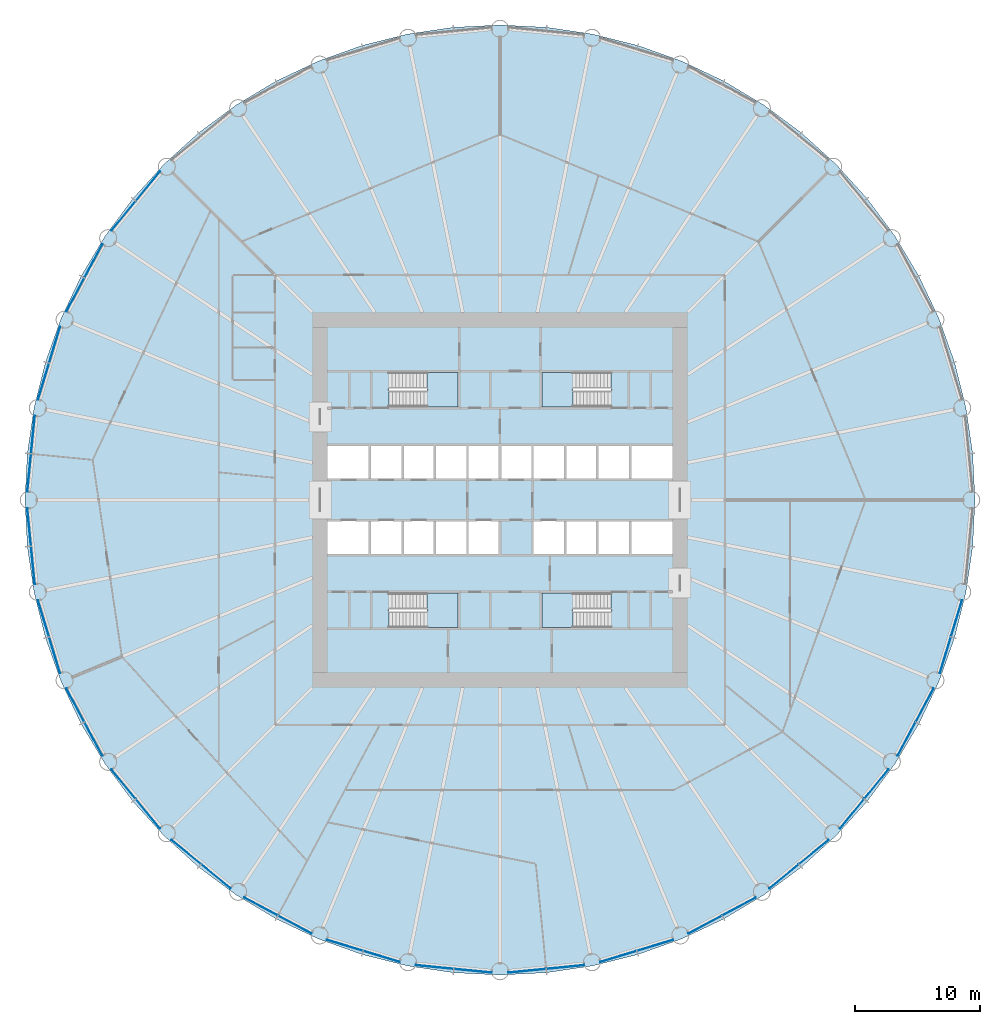
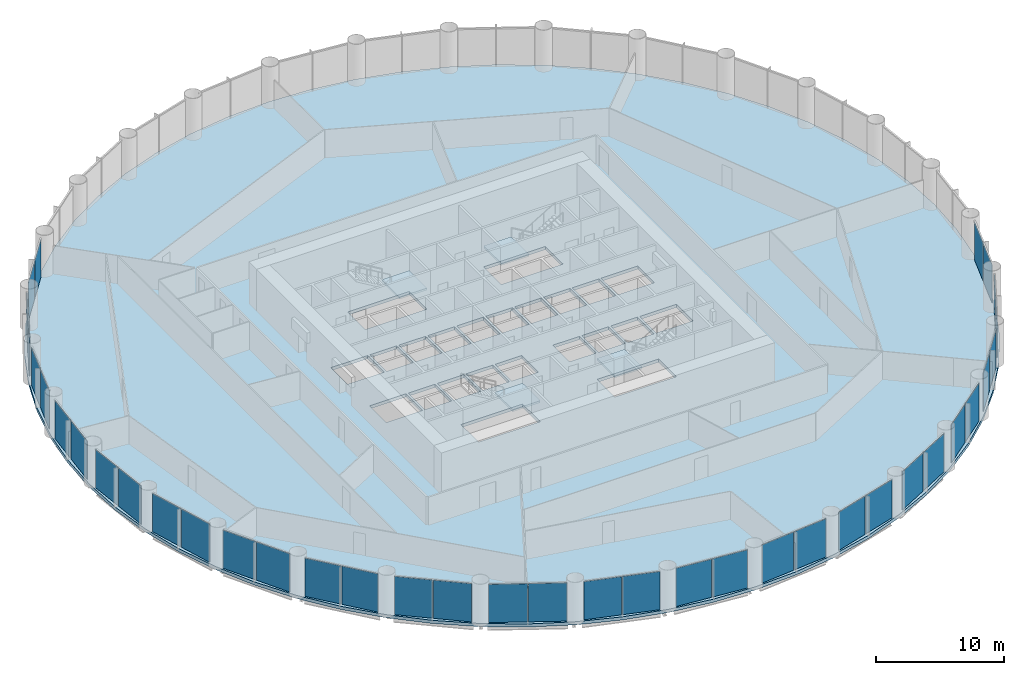
# One storey, part 8 of 15: 38 plates, 5 slabs, 23 elements without a shape of their own.
"""IFC4 building model written with IfcOpenShell, lengths in metres."""

import ifcopenshell
import ifcopenshell.guid

model = None  # the IFC model being written
_history = None  # IfcOwnerHistory: only IFC2X3 demands one
_inside = {}  # id of a spatial element -> (the spatial element, [elements in it])
_under = {}  # id of a project, library or spatial element -> (it, [spatial elements below it])
_declared = {}  # id of a project -> (the project, [libraries it declares])
_typed = {}  # id of a type object -> (the type object, [elements of that type])
_made_of = {}  # id of a material, layer set ... -> (it, [elements and type objects made of it])


def new_model(schema):
    """Start an empty IFC model of exactly this schema.

    Asked for "IFC4X3", IfcOpenShell would pick the latest addendum, in which some entities
    have other attributes; the version numbers below select the first issue.
    IFC2X3 requires an IfcOwnerHistory on every rooted entity: one is made here for all.
    """
    global model, _history
    if schema == "IFC4X3":
        model = ifcopenshell.file(schema_version=(4, 3, 0, 0))
    else:
        model = ifcopenshell.file(schema=schema)
    _inside.clear()
    _under.clear()
    _declared.clear()
    _typed.clear()
    _made_of.clear()
    _history = None
    if model.schema == "IFC2X3":
        org = make("IfcOrganization", Name="unknown")
        user = make(
            "IfcPersonAndOrganization",
            ThePerson=make("IfcPerson", FamilyName="unknown"),
            TheOrganization=org,
        )
        app = make(
            "IfcApplication",
            ApplicationDeveloper=org,
            Version="unknown",
            ApplicationFullName="unknown",
            ApplicationIdentifier="unknown",
        )
        _history = make(
            "IfcOwnerHistory",
            OwningUser=user,
            OwningApplication=app,
            ChangeAction="ADDED",
            CreationDate=0,
        )
    return model


def make(cls, **values):
    """One entity of the class cls with the attributes given. An attribute that is None is left unset."""
    return model.create_entity(
        cls, **{name: value for name, value in values.items() if value is not None}
    )


def rooted(cls, **values):
    """An entity with a GlobalId (a new one), such as an element, a storey or a relation."""
    return make(cls, GlobalId=ifcopenshell.guid.new(), OwnerHistory=_history, **values)


def si_unit(unit_type, name, prefix=None):
    """IfcSIUnit, for example si_unit("LENGTHUNIT", "METRE", prefix="MILLI")."""
    return make("IfcSIUnit", UnitType=unit_type, Prefix=prefix, Name=name)


def assignment(units):
    """IfcUnitAssignment: the units of a project."""
    return None if units is None else make("IfcUnitAssignment", Units=units)


def point(xyz):
    """IfcCartesianPoint."""
    return None if xyz is None else make("IfcCartesianPoint", Coordinates=xyz)


def direction(xyz):
    """IfcDirection."""
    return None if xyz is None else make("IfcDirection", DirectionRatios=xyz)


def frame(location, z_axis=None, x_axis=None):
    """IfcAxis2Placement3D, a coordinate frame: its origin and axes. An axis left out is left unset."""
    return make(
        "IfcAxis2Placement3D",
        Location=point(location),
        Axis=direction(z_axis),
        RefDirection=direction(x_axis),
    )


def frame_2d(location, x_axis=None):
    """IfcAxis2Placement2D, a coordinate frame in the plane: its origin and x axis."""
    return make(
        "IfcAxis2Placement2D", Location=point(location), RefDirection=direction(x_axis)
    )


def origin():
    """The frame at (0, 0, 0) with its axes left unset."""
    return frame((0.0, 0.0, 0.0))


def origin_2d():
    """The frame at (0, 0) in the plane with its x axis left unset."""
    return frame_2d((0.0, 0.0))


def place(relative_to, where):
    """IfcLocalPlacement: puts the frame where relative to a parent placement (None: the world)."""
    return make(
        "IfcLocalPlacement", PlacementRelTo=relative_to, RelativePlacement=where
    )


def context(
    kind, dimensions, precision=None, world=None, true_north=None, identifier=None
):
    """IfcGeometricRepresentationContext, for example the 3D "Model" context."""
    return make(
        "IfcGeometricRepresentationContext",
        ContextIdentifier=identifier,
        ContextType=kind,
        CoordinateSpaceDimension=dimensions,
        Precision=precision,
        WorldCoordinateSystem=world,
        TrueNorth=true_north,
    )


def subcontext(parent, identifier, kind, view, scale=None):
    """IfcGeometricRepresentationSubContext, for example "Body" below "Model"."""
    return make(
        "IfcGeometricRepresentationSubContext",
        ContextIdentifier=identifier,
        ContextType=kind,
        ParentContext=parent,
        TargetScale=scale,
        TargetView=view,
    )


def project(units=None, contexts=None):
    """IfcProject with its units and contexts."""
    return rooted(
        "IfcProject",
        Name="project",
        RepresentationContexts=contexts,
        UnitsInContext=assignment(units),
    )


def spatial(cls, under=None, at=None, **own):
    """A site, building, storey or space (cls), placed at a placement, below another one or the project."""
    s = rooted(cls, ObjectPlacement=at, **own)
    if under is not None:
        _under.setdefault(under.id(), (under, []))[1].append(s)
    return s


def polyline(points):
    """IfcPolyline through the points."""
    return make("IfcPolyline", Points=[point(p) for p in points])


def profile(cls, at=None, kind="AREA", **sizes):
    """A parametric profile (cls). Its sizes go by their IFC names, for example OverallWidth=200.0."""
    return make(cls, ProfileType=kind, Position=at, **sizes)


def rectangle(**sizes):
    """IfcRectangleProfileDef."""
    return profile("IfcRectangleProfileDef", **sizes)


def outline(outer, holes=None, kind="AREA"):
    """IfcArbitraryClosedProfileDef: a profile drawn as a closed curve; with holes, ...WithVoids."""
    if holes is None:
        return make("IfcArbitraryClosedProfileDef", ProfileType=kind, OuterCurve=outer)
    return make(
        "IfcArbitraryProfileDefWithVoids",
        ProfileType=kind,
        OuterCurve=outer,
        InnerCurves=holes,
    )


def extrude(swept, where, along, depth):
    """IfcExtrudedAreaSolid: the profile swept, set in the frame where, extruded along a direction by depth."""
    return make(
        "IfcExtrudedAreaSolid",
        SweptArea=swept,
        Position=where,
        ExtrudedDirection=direction(along),
        Depth=depth,
    )


def shape(context_of_items, identifier, shape_type, items):
    """IfcShapeRepresentation: the items that make up one representation, for example the "Body"."""
    return make(
        "IfcShapeRepresentation",
        ContextOfItems=context_of_items,
        RepresentationIdentifier=identifier,
        RepresentationType=shape_type,
        Items=items,
    )


def material(Name=None, Category=None):
    """IfcMaterial."""
    return make("IfcMaterial", Name=Name, Category=Category)


def layer(
    of_material, thickness, ventilated=None, Name=None, Category=None, Priority=None
):
    """IfcMaterialLayer: one layer of a wall or slab, of a material (None: an air gap)."""
    return make(
        "IfcMaterialLayer",
        Material=of_material,
        LayerThickness=thickness,
        IsVentilated=ventilated,
        Name=Name,
        Category=Category,
        Priority=Priority,
    )


def layer_set(layers, Name=None):
    """IfcMaterialLayerSet."""
    return make("IfcMaterialLayerSet", MaterialLayers=layers, LayerSetName=Name)


def made_of(thing, what):
    """Note that an element or type object is made of a material, layer set ...; save() writes the relation."""
    if what is not None:
        _made_of.setdefault(what.id(), (what, []))[1].append(thing)
    return thing


def type_object(cls, material=None, **own):
    """A type object (cls), such as IfcWallType, which elements share."""
    return made_of(rooted(cls, **own), material)


def element(
    cls,
    number,
    at=None,
    inside=None,
    cuts=None,
    type_object=None,
    material=None,
    context=None,
    identifier="Body",
    shape_type=None,
    held_by="IfcProductDefinitionShape",
    body=None,
    shapes=None,
    **own,
):
    """One element of the class cls, such as IfcWall. Its Tag is "e" and its number.

    at: its placement. inside: the storey or other place that contains it. cuts: it is an
    opening in that element (IfcRelVoidsElement). A single representation is given by context,
    identifier, shape_type and body (its items); several are given by shapes. held_by: the class
    of the entity that holds the representations. save() writes the other relations.
    """
    e = rooted(cls, Tag="e%d" % number, ObjectPlacement=at, **own)
    if body is not None:
        shapes = [shape(context, identifier, shape_type, body)]
    if shapes is not None:
        e.Representation = make(held_by, Representations=shapes)
    if inside is not None:
        _inside.setdefault(inside.id(), (inside, []))[1].append(e)
    if cuts is not None:
        rooted(
            "IfcRelVoidsElement", RelatingBuildingElement=cuts, RelatedOpeningElement=e
        )
    if type_object is not None:
        _typed.setdefault(type_object.id(), (type_object, []))[1].append(e)
    return made_of(e, material)


def aggregate(whole, parts):
    """IfcRelAggregates: a whole, such as a stair, and the parts it consists of."""
    return rooted("IfcRelAggregates", RelatingObject=whole, RelatedObjects=parts)


def save(model, path):
    """Write the relations noted so far, then the file.

    IfcRelAggregates (storeys below a building ...), IfcRelContainedInSpatialStructure (elements
    in a storey), IfcRelDefinesByType, IfcRelAssociatesMaterial and IfcRelDeclares: one each for
    every whole, place, type object, material and project.
    """
    for whole, parts in _under.values():
        aggregate(whole, parts)
    for where, things in _inside.values():
        rooted(
            "IfcRelContainedInSpatialStructure",
            RelatedElements=things,
            RelatingStructure=where,
        )
    for kind, things in _typed.values():
        rooted("IfcRelDefinesByType", RelatedObjects=things, RelatingType=kind)
    for what, things in _made_of.values():
        rooted("IfcRelAssociatesMaterial", RelatedObjects=things, RelatingMaterial=what)
    for by, libraries in _declared.values():
        rooted("IfcRelDeclares", RelatingContext=by, RelatedDefinitions=libraries)
    model.write(path)


model = new_model("IFC4")

# Units and contexts
model_context = context("Model", 3, precision=1e-05, world=origin(), true_north=direction((0.0, 1.0)))
body_context = subcontext(model_context, "Body", "Model", "MODEL_VIEW")
ifc_project = project(units=[si_unit("LENGTHUNIT", "METRE"), si_unit("AREAUNIT", "SQUARE_METRE"), si_unit("VOLUMEUNIT", "CUBIC_METRE"), si_unit("PLANEANGLEUNIT", "RADIAN"), si_unit("MASSUNIT", "GRAM", prefix="KILO")], contexts=[model_context])

# Site, building, storey
site_placement = place(None, origin())
site = spatial("IfcSite", under=ifc_project, at=site_placement, CompositionType="ELEMENT")
building_placement = place(site_placement, origin())
building = spatial("IfcBuilding", under=site, at=building_placement, Name="Corvane Civic Tower", CompositionType="ELEMENT")
storey_placement = place(building_placement, frame((0.0, 0.0, 57.0)))
storey = spatial("IfcBuildingStorey", under=building, at=storey_placement, Name="L12", CompositionType="ELEMENT", Elevation=57.0)

# Slab
ifc_material_1 = material(Name="Concrete C40/50", Category="concrete")
ifc_layer_1 = layer(ifc_material_1, 0.300048828125)
ifc_layer_set_1 = layer_set([ifc_layer_1], Name="Concrete C40/50")
slab_type_1 = type_object("IfcSlabType", Name="FLOOR SLAB 300", PredefinedType="FLOOR", material=ifc_layer_set_1)
slab_1_placement = place(storey_placement, frame((0.0, 0.0, -0.300048828125)))
element("IfcSlab", 1, at=slab_1_placement, inside=storey, type_object=slab_type_1, Name="SLB-L12", PredefinedType="FLOOR", context=body_context, shape_type="SweptSolid", body=[
    extrude(outline(polyline([(0.0, 38.0), (-3.724609375, 37.817138671875), (-7.413330078125, 37.269775390625), (-11.03076171875, 36.36376953125), (-14.5419921875, 35.107421875), (-17.9130859375, 33.512939453125), (-21.111572265625, 31.595947265625), (-24.10693359375, 29.37451171875), (-26.8701171875, 26.8701171875), (-29.37451171875, 24.10693359375), (-31.595947265625, 21.111572265625), (-33.512939453125, 17.9130859375), (-35.107421875, 14.5419921875), (-36.36376953125, 11.03076171875), (-37.269775390625, 7.413330078125), (-37.817138671875, 3.724609375), (-38.0, 0.0), (-37.817138671875, -3.724609375), (-37.269775390625, -7.413330078125), (-36.36376953125, -11.03076171875), (-35.107421875, -14.5419921875), (-33.512939453125, -17.9130859375), (-31.595947265625, -21.111572265625), (-29.37451171875, -24.10693359375), (-26.8701171875, -26.8701171875), (-24.10693359375, -29.37451171875), (-21.111572265625, -31.595947265625), (-17.9130859375, -33.512939453125), (-14.5419921875, -35.107421875), (-11.03076171875, -36.36376953125), (-7.413330078125, -37.269775390625), (-3.724609375, -37.817138671875), (0.0, -38.0), (3.724609375, -37.817138671875), (7.413330078125, -37.269775390625), (11.03076171875, -36.36376953125), (14.5419921875, -35.107421875), (17.9130859375, -33.512939453125), (21.111572265625, -31.595947265625), (24.10693359375, -29.37451171875), (26.8701171875, -26.8701171875), (29.37451171875, -24.10693359375), (31.595947265625, -21.111572265625), (33.512939453125, -17.9130859375), (35.107421875, -14.5419921875), (36.36376953125, -11.03076171875), (37.269775390625, -7.413330078125), (37.817138671875, -3.724609375), (38.0, 0.0), (37.817138671875, 3.724609375), (37.269775390625, 7.413330078125), (36.36376953125, 11.03076171875), (35.107421875, 14.5419921875), (33.512939453125, 17.9130859375), (31.595947265625, 21.111572265625), (29.37451171875, 24.10693359375), (26.8701171875, 26.8701171875), (24.10693359375, 29.37451171875), (21.111572265625, 31.595947265625), (17.9130859375, 33.512939453125), (14.5419921875, 35.107421875), (11.03076171875, 36.36376953125), (7.413330078125, 37.269775390625), (3.724609375, 37.817138671875), (0.0, 38.0)]), holes=[polyline([(-13.800048828125, 4.300048828125), (-10.5, 4.300048828125), (-10.5, 1.699951171875), (-13.800048828125, 1.699951171875), (-13.800048828125, 4.300048828125)]), polyline([(-10.300048828125, 4.300048828125), (-7.89990234375, 4.300048828125), (-7.89990234375, 1.699951171875), (-10.300048828125, 1.699951171875), (-10.300048828125, 4.300048828125)]), polyline([(-5.300048828125, 1.699951171875), (-7.699951171875, 1.699951171875), (-7.699951171875, 4.300048828125), (-5.300048828125, 4.300048828125), (-5.300048828125, 1.699951171875)]), polyline([(-2.699951171875, 1.699951171875), (-5.10009765625, 1.699951171875), (-5.10009765625, 4.300048828125), (-2.699951171875, 4.300048828125), (-2.699951171875, 1.699951171875)]), polyline([(-2.5, 4.300048828125), (-0.10009765625, 4.300048828125), (-0.10009765625, 1.699951171875), (-2.5, 1.699951171875), (-2.5, 4.300048828125)]), polyline([(2.5, 4.300048828125), (2.5, 1.699951171875), (0.10009765625, 1.699951171875), (0.10009765625, 4.300048828125), (2.5, 4.300048828125)]), polyline([(2.699951171875, 4.300048828125), (5.10009765625, 4.300048828125), (5.10009765625, 1.699951171875), (2.699951171875, 1.699951171875), (2.699951171875, 4.300048828125)]), polyline([(5.300048828125, 4.300048828125), (7.699951171875, 4.300048828125), (7.699951171875, 1.699951171875), (5.300048828125, 1.699951171875), (5.300048828125, 4.300048828125)]), polyline([(7.89990234375, 4.300048828125), (10.300048828125, 4.300048828125), (10.300048828125, 1.699951171875), (7.89990234375, 1.699951171875), (7.89990234375, 4.300048828125)]), polyline([(13.800048828125, 1.699951171875), (10.5, 1.699951171875), (10.5, 4.300048828125), (13.800048828125, 4.300048828125), (13.800048828125, 1.699951171875)]), polyline([(-13.800048828125, -1.699951171875), (-10.5, -1.699951171875), (-10.5, -4.300048828125), (-13.800048828125, -4.300048828125), (-13.800048828125, -1.699951171875)]), polyline([(-7.89990234375, -1.699951171875), (-7.89990234375, -4.300048828125), (-10.300048828125, -4.300048828125), (-10.300048828125, -1.699951171875), (-7.89990234375, -1.699951171875)]), polyline([(-7.699951171875, -4.300048828125), (-7.699951171875, -1.699951171875), (-5.300048828125, -1.699951171875), (-5.300048828125, -4.300048828125), (-7.699951171875, -4.300048828125)]), polyline([(-5.10009765625, -4.300048828125), (-5.10009765625, -1.699951171875), (-2.699951171875, -1.699951171875), (-2.699951171875, -4.300048828125), (-5.10009765625, -4.300048828125)]), polyline([(-0.10009765625, -1.699951171875), (-0.10009765625, -4.300048828125), (-2.5, -4.300048828125), (-2.5, -1.699951171875), (-0.10009765625, -1.699951171875)]), polyline([(5.10009765625, -1.699951171875), (5.10009765625, -4.300048828125), (2.699951171875, -4.300048828125), (2.699951171875, -1.699951171875), (5.10009765625, -1.699951171875)]), polyline([(7.699951171875, -1.699951171875), (7.699951171875, -4.300048828125), (5.300048828125, -4.300048828125), (5.300048828125, -1.699951171875), (7.699951171875, -1.699951171875)]), polyline([(10.300048828125, -1.699951171875), (10.300048828125, -4.300048828125), (7.89990234375, -4.300048828125), (7.89990234375, -1.699951171875), (10.300048828125, -1.699951171875)]), polyline([(13.800048828125, -4.300048828125), (10.5, -4.300048828125), (10.5, -1.699951171875), (13.800048828125, -1.699951171875), (13.800048828125, -4.300048828125)]), polyline([(8.889892578125, 10.199951171875), (8.889892578125, 7.449951171875), (3.35009765625, 7.449951171875), (3.35009765625, 10.199951171875), (8.889892578125, 10.199951171875)]), polyline([(-8.889892578125, 7.449951171875), (-8.889892578125, 10.199951171875), (-3.35009765625, 10.199951171875), (-3.35009765625, 7.449951171875), (-8.889892578125, 7.449951171875)]), polyline([(8.889892578125, -7.449951171875), (8.889892578125, -10.199951171875), (3.35009765625, -10.199951171875), (3.35009765625, -7.449951171875), (8.889892578125, -7.449951171875)]), polyline([(-8.889892578125, -10.199951171875), (-8.889892578125, -7.449951171875), (-3.35009765625, -7.449951171875), (-3.35009765625, -10.199951171875), (-8.889892578125, -10.199951171875)])]), origin(), (0.0, 0.0, 1.0), 0.300048828125),
])

# Stair, slab
ifc_material_2 = material(Name="Concrete C40/50", Category="concrete")
stair_type = type_object("IfcStairType", Name="ST-STAIR-HALFTURN", PredefinedType="HALF_TURN_STAIR", material=ifc_material_2)
stair_1_placement = place(storey_placement, origin())
stair_1 = element("IfcStair", 2, at=stair_1_placement, inside=storey, type_object=stair_type, Name="L12 Exit stair ST1", PredefinedType="HALF_TURN_STAIR")
ifc_material_3 = material(Name="Concrete C40/50", Category="concrete")
ifc_layer_2 = layer(ifc_material_3, 0.199951171875)
ifc_layer_set_2 = layer_set([ifc_layer_2], Name="Concrete C40/50")
slab_type_2 = type_object("IfcSlabType", Name="ST-LANDING-RC", PredefinedType="LANDING", material=ifc_layer_set_2)
slab_2_placement = place(storey_placement, frame((0.0, 0.0, 1.800048828125)))
slab_2 = element("IfcSlab", 3, at=slab_2_placement, type_object=slab_type_2, Name="ST1 landing 1", PredefinedType="LANDING", context=body_context, shape_type="SweptSolid", body=[
    extrude(outline(polyline([(5.820068359375, 10.199951171875), (3.35009765625, 10.199951171875), (3.35009765625, 7.449951171875), (5.820068359375, 7.449951171875), (5.820068359375, 10.199951171875)])), origin(), (0.0, 0.0, 1.0), 0.199951171875),
])
aggregate(stair_1, [slab_2])

stair_2_placement = place(storey_placement, origin())
stair_2 = element("IfcStair", 4, at=stair_2_placement, inside=storey, type_object=stair_type, Name="L12 Exit stair ST2", PredefinedType="HALF_TURN_STAIR")
slab_3_placement = place(storey_placement, frame((0.0, 0.0, 1.800048828125)))
slab_3 = element("IfcSlab", 5, at=slab_3_placement, type_object=slab_type_2, Name="ST2 landing 1", PredefinedType="LANDING", context=body_context, shape_type="SweptSolid", body=[
    extrude(outline(polyline([(5.820068359375, -7.449951171875), (3.35009765625, -7.449951171875), (3.35009765625, -10.199951171875), (5.820068359375, -10.199951171875), (5.820068359375, -7.449951171875)])), origin(), (0.0, 0.0, 1.0), 0.199951171875),
])
aggregate(stair_2, [slab_3])

stair_3_placement = place(storey_placement, origin())
stair_3 = element("IfcStair", 6, at=stair_3_placement, inside=storey, type_object=stair_type, Name="L12 Exit stair ST3", PredefinedType="HALF_TURN_STAIR")
slab_4_placement = place(storey_placement, frame((0.0, 0.0, 1.800048828125)))
slab_4 = element("IfcSlab", 7, at=slab_4_placement, type_object=slab_type_2, Name="ST3 landing 1", PredefinedType="LANDING", context=body_context, shape_type="SweptSolid", body=[
    extrude(outline(polyline([(-5.820068359375, -10.199951171875), (-3.35009765625, -10.199951171875), (-3.35009765625, -7.449951171875), (-5.820068359375, -7.449951171875), (-5.820068359375, -10.199951171875)])), origin(), (0.0, 0.0, 1.0), 0.199951171875),
])
aggregate(stair_3, [slab_4])

stair_4_placement = place(storey_placement, origin())
stair_4 = element("IfcStair", 8, at=stair_4_placement, inside=storey, type_object=stair_type, Name="L12 Exit stair ST4", PredefinedType="HALF_TURN_STAIR")
slab_5_placement = place(storey_placement, frame((0.0, 0.0, 1.800048828125)))
slab_5 = element("IfcSlab", 9, at=slab_5_placement, type_object=slab_type_2, Name="ST4 landing 1", PredefinedType="LANDING", context=body_context, shape_type="SweptSolid", body=[
    extrude(outline(polyline([(-5.820068359375, 7.449951171875), (-3.35009765625, 7.449951171875), (-3.35009765625, 10.199951171875), (-5.820068359375, 10.199951171875), (-5.820068359375, 7.449951171875)])), origin(), (0.0, 0.0, 1.0), 0.199951171875),
])
aggregate(stair_4, [slab_5])

# Curtain wall, plates
ifc_material_4 = material(Name="Anodised aluminium bronze", Category="aluminium")
curtain_wall_type = type_object("IfcCurtainWallType", Name="TOWER CW-T1 STICK CURTAIN WALL", PredefinedType="NOTDEFINED", material=ifc_material_4)
curtain_wall_1_placement = place(storey_placement, origin())
curtain_wall_1 = element("IfcCurtainWall", 10, at=curtain_wall_1_placement, inside=storey, type_object=curtain_wall_type, Name="Curtain wall CW-T1 L12 bay 10", PredefinedType="NOTDEFINED")
ifc_material_5 = material(Name="Tinted glass", Category="glass")
ifc_layer_3 = layer(ifc_material_5, 0.035888671875)
ifc_layer_set_3 = layer_set([ifc_layer_3], Name="Tinted glass")
plate_type = type_object("IfcPlateType", Name="TOWER CW-T1 PANEL IGU36", PredefinedType="CURTAIN_PANEL", material=ifc_layer_set_3)
plate_1_placement = place(storey_placement, frame((36.522705078125, -9.46533203125, 0.0), z_axis=(0.0, 0.0, 1.0), x_axis=(-0.290278397654, -0.956942240606, 0.0)))
plate_1 = element("IfcPlate", 11, at=plate_1_placement, type_object=plate_type, Name="Glass panel CW-T1 L12 10.1", PredefinedType="CURTAIN_PANEL", context=body_context, shape_type="SweptSolid", body=[
    extrude(rectangle(XDim=3.008544921875, YDim=0.035888671875, at=origin_2d()), origin(), (0.0, 0.0, 1.0), 3.6298828125),
])
plate_2_placement = place(storey_placement, frame((35.6259765625, -12.4208984375, 0.0), z_axis=(0.0, 0.0, 1.0), x_axis=(-0.290278397654, -0.956942240606, 0.0)))
plate_2 = element("IfcPlate", 12, at=plate_2_placement, type_object=plate_type, Name="Glass panel CW-T1 L12 10.2", PredefinedType="CURTAIN_PANEL", context=body_context, shape_type="SweptSolid", body=[
    extrude(rectangle(XDim=3.008544921875, YDim=0.035888671875, at=origin_2d()), origin(), (0.0, 0.0, 1.0), 3.6298828125),
])
aggregate(curtain_wall_1, [plate_1, plate_2])

curtain_wall_2_placement = place(storey_placement, origin())
curtain_wall_2 = element("IfcCurtainWall", 13, at=curtain_wall_2_placement, inside=storey, type_object=curtain_wall_type, Name="Curtain wall CW-T1 L12 bay 11", PredefinedType="NOTDEFINED")
plate_3_placement = place(storey_placement, frame((33.974365234375, -16.40869140625, 0.0), z_axis=(0.0, 0.0, 1.0), x_axis=(-0.471403725359, -0.881917528864, 0.0)))
plate_3 = element("IfcPlate", 14, at=plate_3_placement, type_object=plate_type, Name="Glass panel CW-T1 L12 11.1", PredefinedType="CURTAIN_PANEL", context=body_context, shape_type="SweptSolid", body=[
    extrude(rectangle(XDim=3.008544921875, YDim=0.035888671875, at=origin_2d()), origin(), (0.0, 0.0, 1.0), 3.6298828125),
])
plate_4_placement = place(storey_placement, frame((32.518310546875, -19.132568359375, 0.0), z_axis=(0.0, 0.0, 1.0), x_axis=(-0.471403725359, -0.881917528864, 0.0)))
plate_4 = element("IfcPlate", 15, at=plate_4_placement, type_object=plate_type, Name="Glass panel CW-T1 L12 11.2", PredefinedType="CURTAIN_PANEL", context=body_context, shape_type="SweptSolid", body=[
    extrude(rectangle(XDim=3.008544921875, YDim=0.035888671875, at=origin_2d()), origin(), (0.0, 0.0, 1.0), 3.6298828125),
])
aggregate(curtain_wall_2, [plate_3, plate_4])

curtain_wall_3_placement = place(storey_placement, origin())
curtain_wall_3 = element("IfcCurtainWall", 16, at=curtain_wall_3_placement, inside=storey, type_object=curtain_wall_type, Name="Curtain wall CW-T1 L12 bay 12", PredefinedType="NOTDEFINED")
plate_5_placement = place(storey_placement, frame((30.120361328125, -22.721435546875, 0.0), z_axis=(0.0, 0.0, 1.0), x_axis=(-0.634397218569, -0.773007224463, 0.0)))
plate_5 = element("IfcPlate", 17, at=plate_5_placement, type_object=plate_type, Name="Glass panel CW-T1 L12 12.1", PredefinedType="CURTAIN_PANEL", context=body_context, shape_type="SweptSolid", body=[
    extrude(rectangle(XDim=3.008544921875, YDim=0.035888671875, at=origin_2d()), origin(), (0.0, 0.0, 1.0), 3.6298828125),
])
plate_6_placement = place(storey_placement, frame((28.160888671875, -25.10888671875, 0.0), z_axis=(0.0, 0.0, 1.0), x_axis=(-0.634397218569, -0.773007224463, 0.0)))
plate_6 = element("IfcPlate", 18, at=plate_6_placement, type_object=plate_type, Name="Glass panel CW-T1 L12 12.2", PredefinedType="CURTAIN_PANEL", context=body_context, shape_type="SweptSolid", body=[
    extrude(rectangle(XDim=3.008544921875, YDim=0.035888671875, at=origin_2d()), origin(), (0.0, 0.0, 1.0), 3.6298828125),
])
aggregate(curtain_wall_3, [plate_5, plate_6])

curtain_wall_4_placement = place(storey_placement, origin())
curtain_wall_4 = element("IfcCurtainWall", 19, at=curtain_wall_4_placement, inside=storey, type_object=curtain_wall_type, Name="Curtain wall CW-T1 L12 bay 13", PredefinedType="NOTDEFINED")
plate_7_placement = place(storey_placement, frame((25.10888671875, -28.160888671875, 0.0), z_axis=(0.0, 0.0, 1.0), x_axis=(-0.773007224463, -0.634397218569, 0.0)))
plate_7 = element("IfcPlate", 20, at=plate_7_placement, type_object=plate_type, Name="Glass panel CW-T1 L12 13.1", PredefinedType="CURTAIN_PANEL", context=body_context, shape_type="SweptSolid", body=[
    extrude(rectangle(XDim=3.008544921875, YDim=0.035888671875, at=origin_2d()), origin(), (0.0, 0.0, 1.0), 3.6298828125),
])
plate_8_placement = place(storey_placement, frame((22.721435546875, -30.120361328125, 0.0), z_axis=(0.0, 0.0, 1.0), x_axis=(-0.773007224463, -0.634397218569, 0.0)))
plate_8 = element("IfcPlate", 21, at=plate_8_placement, type_object=plate_type, Name="Glass panel CW-T1 L12 13.2", PredefinedType="CURTAIN_PANEL", context=body_context, shape_type="SweptSolid", body=[
    extrude(rectangle(XDim=3.008544921875, YDim=0.035888671875, at=origin_2d()), origin(), (0.0, 0.0, 1.0), 3.6298828125),
])
aggregate(curtain_wall_4, [plate_7, plate_8])

curtain_wall_5_placement = place(storey_placement, origin())
curtain_wall_5 = element("IfcCurtainWall", 22, at=curtain_wall_5_placement, inside=storey, type_object=curtain_wall_type, Name="Curtain wall CW-T1 L12 bay 14", PredefinedType="NOTDEFINED")
plate_9_placement = place(storey_placement, frame((19.132568359375, -32.518310546875, 0.0), z_axis=(0.0, 0.0, 1.0), x_axis=(-0.881917528864, -0.471403725359, 0.0)))
plate_9 = element("IfcPlate", 23, at=plate_9_placement, type_object=plate_type, Name="Glass panel CW-T1 L12 14.1", PredefinedType="CURTAIN_PANEL", context=body_context, shape_type="SweptSolid", body=[
    extrude(rectangle(XDim=3.008544921875, YDim=0.035888671875, at=origin_2d()), origin(), (0.0, 0.0, 1.0), 3.6298828125),
])
plate_10_placement = place(storey_placement, frame((16.40869140625, -33.974365234375, 0.0), z_axis=(0.0, 0.0, 1.0), x_axis=(-0.881917528864, -0.471403725359, 0.0)))
plate_10 = element("IfcPlate", 24, at=plate_10_placement, type_object=plate_type, Name="Glass panel CW-T1 L12 14.2", PredefinedType="CURTAIN_PANEL", context=body_context, shape_type="SweptSolid", body=[
    extrude(rectangle(XDim=3.008544921875, YDim=0.035888671875, at=origin_2d()), origin(), (0.0, 0.0, 1.0), 3.6298828125),
])
aggregate(curtain_wall_5, [plate_9, plate_10])

curtain_wall_6_placement = place(storey_placement, origin())
curtain_wall_6 = element("IfcCurtainWall", 25, at=curtain_wall_6_placement, inside=storey, type_object=curtain_wall_type, Name="Curtain wall CW-T1 L12 bay 15", PredefinedType="NOTDEFINED")
plate_11_placement = place(storey_placement, frame((12.4208984375, -35.6259765625, 0.0), z_axis=(0.0, 0.0, 1.0), x_axis=(-0.956942240606, -0.290278397654, 0.0)))
plate_11 = element("IfcPlate", 26, at=plate_11_placement, type_object=plate_type, Name="Glass panel CW-T1 L12 15.1", PredefinedType="CURTAIN_PANEL", context=body_context, shape_type="SweptSolid", body=[
    extrude(rectangle(XDim=3.008544921875, YDim=0.035888671875, at=origin_2d()), origin(), (0.0, 0.0, 1.0), 3.6298828125),
])
plate_12_placement = place(storey_placement, frame((9.46533203125, -36.522705078125, 0.0), z_axis=(0.0, 0.0, 1.0), x_axis=(-0.956942240606, -0.290278397654, 0.0)))
plate_12 = element("IfcPlate", 27, at=plate_12_placement, type_object=plate_type, Name="Glass panel CW-T1 L12 15.2", PredefinedType="CURTAIN_PANEL", context=body_context, shape_type="SweptSolid", body=[
    extrude(rectangle(XDim=3.008544921875, YDim=0.035888671875, at=origin_2d()), origin(), (0.0, 0.0, 1.0), 3.6298828125),
])
aggregate(curtain_wall_6, [plate_11, plate_12])

curtain_wall_7_placement = place(storey_placement, origin())
curtain_wall_7 = element("IfcCurtainWall", 28, at=curtain_wall_7_placement, inside=storey, type_object=curtain_wall_type, Name="Curtain wall CW-T1 L12 bay 16", PredefinedType="NOTDEFINED")
plate_13_placement = place(storey_placement, frame((5.23193359375, -37.36474609375, 0.0), z_axis=(0.0, 0.0, 1.0), x_axis=(-0.995185800248, -0.098006239521, 0.0)))
plate_13 = element("IfcPlate", 29, at=plate_13_placement, type_object=plate_type, Name="Glass panel CW-T1 L12 16.1", PredefinedType="CURTAIN_PANEL", context=body_context, shape_type="SweptSolid", body=[
    extrude(rectangle(XDim=3.008544921875, YDim=0.035888671875, at=origin_2d()), origin(), (0.0, 0.0, 1.0), 3.6298828125),
])
plate_14_placement = place(storey_placement, frame((2.158203125, -37.667236328125, 0.0), z_axis=(0.0, 0.0, 1.0), x_axis=(-0.995185800248, -0.098006239521, 0.0)))
plate_14 = element("IfcPlate", 30, at=plate_14_placement, type_object=plate_type, Name="Glass panel CW-T1 L12 16.2", PredefinedType="CURTAIN_PANEL", context=body_context, shape_type="SweptSolid", body=[
    extrude(rectangle(XDim=3.008544921875, YDim=0.035888671875, at=origin_2d()), origin(), (0.0, 0.0, 1.0), 3.6298828125),
])
aggregate(curtain_wall_7, [plate_13, plate_14])

curtain_wall_8_placement = place(storey_placement, origin())
curtain_wall_8 = element("IfcCurtainWall", 31, at=curtain_wall_8_placement, inside=storey, type_object=curtain_wall_type, Name="Curtain wall CW-T1 L12 bay 17", PredefinedType="NOTDEFINED")
plate_15_placement = place(storey_placement, frame((-2.158203125, -37.667236328125, 0.0), z_axis=(0.0, 0.0, 1.0), x_axis=(-0.995185800248, 0.098006239521, 0.0)))
plate_15 = element("IfcPlate", 32, at=plate_15_placement, type_object=plate_type, Name="Glass panel CW-T1 L12 17.1", PredefinedType="CURTAIN_PANEL", context=body_context, shape_type="SweptSolid", body=[
    extrude(rectangle(XDim=3.008544921875, YDim=0.035888671875, at=origin_2d()), origin(), (0.0, 0.0, 1.0), 3.6298828125),
])
plate_16_placement = place(storey_placement, frame((-5.23193359375, -37.36474609375, 0.0), z_axis=(0.0, 0.0, 1.0), x_axis=(-0.995185800248, 0.098006239521, 0.0)))
plate_16 = element("IfcPlate", 33, at=plate_16_placement, type_object=plate_type, Name="Glass panel CW-T1 L12 17.2", PredefinedType="CURTAIN_PANEL", context=body_context, shape_type="SweptSolid", body=[
    extrude(rectangle(XDim=3.008544921875, YDim=0.035888671875, at=origin_2d()), origin(), (0.0, 0.0, 1.0), 3.6298828125),
])
aggregate(curtain_wall_8, [plate_15, plate_16])

curtain_wall_9_placement = place(storey_placement, origin())
curtain_wall_9 = element("IfcCurtainWall", 34, at=curtain_wall_9_placement, inside=storey, type_object=curtain_wall_type, Name="Curtain wall CW-T1 L12 bay 18", PredefinedType="NOTDEFINED")
plate_17_placement = place(storey_placement, frame((-9.46533203125, -36.522705078125, 0.0), z_axis=(0.0, 0.0, 1.0), x_axis=(-0.956942240606, 0.290278397654, 0.0)))
plate_17 = element("IfcPlate", 35, at=plate_17_placement, type_object=plate_type, Name="Glass panel CW-T1 L12 18.1", PredefinedType="CURTAIN_PANEL", context=body_context, shape_type="SweptSolid", body=[
    extrude(rectangle(XDim=3.008544921875, YDim=0.035888671875, at=origin_2d()), origin(), (0.0, 0.0, 1.0), 3.6298828125),
])
plate_18_placement = place(storey_placement, frame((-12.4208984375, -35.6259765625, 0.0), z_axis=(0.0, 0.0, 1.0), x_axis=(-0.956942240606, 0.290278397654, 0.0)))
plate_18 = element("IfcPlate", 36, at=plate_18_placement, type_object=plate_type, Name="Glass panel CW-T1 L12 18.2", PredefinedType="CURTAIN_PANEL", context=body_context, shape_type="SweptSolid", body=[
    extrude(rectangle(XDim=3.008544921875, YDim=0.035888671875, at=origin_2d()), origin(), (0.0, 0.0, 1.0), 3.6298828125),
])
aggregate(curtain_wall_9, [plate_17, plate_18])

curtain_wall_10_placement = place(storey_placement, origin())
curtain_wall_10 = element("IfcCurtainWall", 37, at=curtain_wall_10_placement, inside=storey, type_object=curtain_wall_type, Name="Curtain wall CW-T1 L12 bay 19", PredefinedType="NOTDEFINED")
plate_19_placement = place(storey_placement, frame((-16.40869140625, -33.974365234375, 0.0), z_axis=(0.0, 0.0, 1.0), x_axis=(-0.881917528864, 0.471403725359, 0.0)))
plate_19 = element("IfcPlate", 38, at=plate_19_placement, type_object=plate_type, Name="Glass panel CW-T1 L12 19.1", PredefinedType="CURTAIN_PANEL", context=body_context, shape_type="SweptSolid", body=[
    extrude(rectangle(XDim=3.008544921875, YDim=0.035888671875, at=origin_2d()), origin(), (0.0, 0.0, 1.0), 3.6298828125),
])
plate_20_placement = place(storey_placement, frame((-19.132568359375, -32.518310546875, 0.0), z_axis=(0.0, 0.0, 1.0), x_axis=(-0.881917528864, 0.471403725359, 0.0)))
plate_20 = element("IfcPlate", 39, at=plate_20_placement, type_object=plate_type, Name="Glass panel CW-T1 L12 19.2", PredefinedType="CURTAIN_PANEL", context=body_context, shape_type="SweptSolid", body=[
    extrude(rectangle(XDim=3.008544921875, YDim=0.035888671875, at=origin_2d()), origin(), (0.0, 0.0, 1.0), 3.6298828125),
])
aggregate(curtain_wall_10, [plate_19, plate_20])

curtain_wall_11_placement = place(storey_placement, origin())
curtain_wall_11 = element("IfcCurtainWall", 40, at=curtain_wall_11_placement, inside=storey, type_object=curtain_wall_type, Name="Curtain wall CW-T1 L12 bay 20", PredefinedType="NOTDEFINED")
plate_21_placement = place(storey_placement, frame((-22.721435546875, -30.120361328125, 0.0), z_axis=(0.0, 0.0, 1.0), x_axis=(-0.773007224463, 0.634397218569, 0.0)))
plate_21 = element("IfcPlate", 41, at=plate_21_placement, type_object=plate_type, Name="Glass panel CW-T1 L12 20.1", PredefinedType="CURTAIN_PANEL", context=body_context, shape_type="SweptSolid", body=[
    extrude(rectangle(XDim=3.008544921875, YDim=0.035888671875, at=origin_2d()), origin(), (0.0, 0.0, 1.0), 3.6298828125),
])
plate_22_placement = place(storey_placement, frame((-25.10888671875, -28.160888671875, 0.0), z_axis=(0.0, 0.0, 1.0), x_axis=(-0.773007224463, 0.634397218569, 0.0)))
plate_22 = element("IfcPlate", 42, at=plate_22_placement, type_object=plate_type, Name="Glass panel CW-T1 L12 20.2", PredefinedType="CURTAIN_PANEL", context=body_context, shape_type="SweptSolid", body=[
    extrude(rectangle(XDim=3.008544921875, YDim=0.035888671875, at=origin_2d()), origin(), (0.0, 0.0, 1.0), 3.6298828125),
])
aggregate(curtain_wall_11, [plate_21, plate_22])

curtain_wall_12_placement = place(storey_placement, origin())
curtain_wall_12 = element("IfcCurtainWall", 43, at=curtain_wall_12_placement, inside=storey, type_object=curtain_wall_type, Name="Curtain wall CW-T1 L12 bay 21", PredefinedType="NOTDEFINED")
plate_23_placement = place(storey_placement, frame((-28.160888671875, -25.10888671875, 0.0), z_axis=(0.0, 0.0, 1.0), x_axis=(-0.634397218569, 0.773007224463, 0.0)))
plate_23 = element("IfcPlate", 44, at=plate_23_placement, type_object=plate_type, Name="Glass panel CW-T1 L12 21.1", PredefinedType="CURTAIN_PANEL", context=body_context, shape_type="SweptSolid", body=[
    extrude(rectangle(XDim=3.008544921875, YDim=0.035888671875, at=origin_2d()), origin(), (0.0, 0.0, 1.0), 3.6298828125),
])
plate_24_placement = place(storey_placement, frame((-30.120361328125, -22.721435546875, 0.0), z_axis=(0.0, 0.0, 1.0), x_axis=(-0.634397218569, 0.773007224463, 0.0)))
plate_24 = element("IfcPlate", 45, at=plate_24_placement, type_object=plate_type, Name="Glass panel CW-T1 L12 21.2", PredefinedType="CURTAIN_PANEL", context=body_context, shape_type="SweptSolid", body=[
    extrude(rectangle(XDim=3.008544921875, YDim=0.035888671875, at=origin_2d()), origin(), (0.0, 0.0, 1.0), 3.6298828125),
])
aggregate(curtain_wall_12, [plate_23, plate_24])

curtain_wall_13_placement = place(storey_placement, origin())
curtain_wall_13 = element("IfcCurtainWall", 46, at=curtain_wall_13_placement, inside=storey, type_object=curtain_wall_type, Name="Curtain wall CW-T1 L12 bay 22", PredefinedType="NOTDEFINED")
plate_25_placement = place(storey_placement, frame((-32.518310546875, -19.132568359375, 0.0), z_axis=(0.0, 0.0, 1.0), x_axis=(-0.471403725359, 0.881917528864, 0.0)))
plate_25 = element("IfcPlate", 47, at=plate_25_placement, type_object=plate_type, Name="Glass panel CW-T1 L12 22.1", PredefinedType="CURTAIN_PANEL", context=body_context, shape_type="SweptSolid", body=[
    extrude(rectangle(XDim=3.008544921875, YDim=0.035888671875, at=origin_2d()), origin(), (0.0, 0.0, 1.0), 3.6298828125),
])
plate_26_placement = place(storey_placement, frame((-33.974365234375, -16.40869140625, 0.0), z_axis=(0.0, 0.0, 1.0), x_axis=(-0.471403725359, 0.881917528864, 0.0)))
plate_26 = element("IfcPlate", 48, at=plate_26_placement, type_object=plate_type, Name="Glass panel CW-T1 L12 22.2", PredefinedType="CURTAIN_PANEL", context=body_context, shape_type="SweptSolid", body=[
    extrude(rectangle(XDim=3.008544921875, YDim=0.035888671875, at=origin_2d()), origin(), (0.0, 0.0, 1.0), 3.6298828125),
])
aggregate(curtain_wall_13, [plate_25, plate_26])

curtain_wall_14_placement = place(storey_placement, origin())
curtain_wall_14 = element("IfcCurtainWall", 49, at=curtain_wall_14_placement, inside=storey, type_object=curtain_wall_type, Name="Curtain wall CW-T1 L12 bay 23", PredefinedType="NOTDEFINED")
plate_27_placement = place(storey_placement, frame((-35.6259765625, -12.4208984375, 0.0), z_axis=(0.0, 0.0, 1.0), x_axis=(-0.290278397654, 0.956942240606, 0.0)))
plate_27 = element("IfcPlate", 50, at=plate_27_placement, type_object=plate_type, Name="Glass panel CW-T1 L12 23.1", PredefinedType="CURTAIN_PANEL", context=body_context, shape_type="SweptSolid", body=[
    extrude(rectangle(XDim=3.008544921875, YDim=0.035888671875, at=origin_2d()), origin(), (0.0, 0.0, 1.0), 3.6298828125),
])
plate_28_placement = place(storey_placement, frame((-36.522705078125, -9.46533203125, 0.0), z_axis=(0.0, 0.0, 1.0), x_axis=(-0.290278397654, 0.956942240606, 0.0)))
plate_28 = element("IfcPlate", 51, at=plate_28_placement, type_object=plate_type, Name="Glass panel CW-T1 L12 23.2", PredefinedType="CURTAIN_PANEL", context=body_context, shape_type="SweptSolid", body=[
    extrude(rectangle(XDim=3.008544921875, YDim=0.035888671875, at=origin_2d()), origin(), (0.0, 0.0, 1.0), 3.6298828125),
])
aggregate(curtain_wall_14, [plate_27, plate_28])

curtain_wall_15_placement = place(storey_placement, origin())
curtain_wall_15 = element("IfcCurtainWall", 52, at=curtain_wall_15_placement, inside=storey, type_object=curtain_wall_type, Name="Curtain wall CW-T1 L12 bay 24", PredefinedType="NOTDEFINED")
plate_29_placement = place(storey_placement, frame((-37.36474609375, -5.23193359375, 0.0), z_axis=(0.0, 0.0, 1.0), x_axis=(-0.098006239521, 0.995185800248, 0.0)))
plate_29 = element("IfcPlate", 53, at=plate_29_placement, type_object=plate_type, Name="Glass panel CW-T1 L12 24.1", PredefinedType="CURTAIN_PANEL", context=body_context, shape_type="SweptSolid", body=[
    extrude(rectangle(XDim=3.008544921875, YDim=0.035888671875, at=origin_2d()), origin(), (0.0, 0.0, 1.0), 3.6298828125),
])
plate_30_placement = place(storey_placement, frame((-37.667236328125, -2.158203125, 0.0), z_axis=(0.0, 0.0, 1.0), x_axis=(-0.098006239521, 0.995185800248, 0.0)))
plate_30 = element("IfcPlate", 54, at=plate_30_placement, type_object=plate_type, Name="Glass panel CW-T1 L12 24.2", PredefinedType="CURTAIN_PANEL", context=body_context, shape_type="SweptSolid", body=[
    extrude(rectangle(XDim=3.008544921875, YDim=0.035888671875, at=origin_2d()), origin(), (0.0, 0.0, 1.0), 3.6298828125),
])
aggregate(curtain_wall_15, [plate_29, plate_30])

curtain_wall_16_placement = place(storey_placement, origin())
curtain_wall_16 = element("IfcCurtainWall", 55, at=curtain_wall_16_placement, inside=storey, type_object=curtain_wall_type, Name="Curtain wall CW-T1 L12 bay 25", PredefinedType="NOTDEFINED")
plate_31_placement = place(storey_placement, frame((-37.667236328125, 2.158203125, 0.0), z_axis=(0.0, 0.0, 1.0), x_axis=(0.098006239521, 0.995185800248, 0.0)))
plate_31 = element("IfcPlate", 56, at=plate_31_placement, type_object=plate_type, Name="Glass panel CW-T1 L12 25.1", PredefinedType="CURTAIN_PANEL", context=body_context, shape_type="SweptSolid", body=[
    extrude(rectangle(XDim=3.008544921875, YDim=0.035888671875, at=origin_2d()), origin(), (0.0, 0.0, 1.0), 3.6298828125),
])
plate_32_placement = place(storey_placement, frame((-37.36474609375, 5.23193359375, 0.0), z_axis=(0.0, 0.0, 1.0), x_axis=(0.098006239521, 0.995185800248, 0.0)))
plate_32 = element("IfcPlate", 57, at=plate_32_placement, type_object=plate_type, Name="Glass panel CW-T1 L12 25.2", PredefinedType="CURTAIN_PANEL", context=body_context, shape_type="SweptSolid", body=[
    extrude(rectangle(XDim=3.008544921875, YDim=0.035888671875, at=origin_2d()), origin(), (0.0, 0.0, 1.0), 3.6298828125),
])
aggregate(curtain_wall_16, [plate_31, plate_32])

curtain_wall_17_placement = place(storey_placement, origin())
curtain_wall_17 = element("IfcCurtainWall", 58, at=curtain_wall_17_placement, inside=storey, type_object=curtain_wall_type, Name="Curtain wall CW-T1 L12 bay 26", PredefinedType="NOTDEFINED")
plate_33_placement = place(storey_placement, frame((-36.522705078125, 9.46533203125, 0.0), z_axis=(0.0, 0.0, 1.0), x_axis=(0.290278397654, 0.956942240606, 0.0)))
plate_33 = element("IfcPlate", 59, at=plate_33_placement, type_object=plate_type, Name="Glass panel CW-T1 L12 26.1", PredefinedType="CURTAIN_PANEL", context=body_context, shape_type="SweptSolid", body=[
    extrude(rectangle(XDim=3.008544921875, YDim=0.035888671875, at=origin_2d()), origin(), (0.0, 0.0, 1.0), 3.6298828125),
])
plate_34_placement = place(storey_placement, frame((-35.6259765625, 12.4208984375, 0.0), z_axis=(0.0, 0.0, 1.0), x_axis=(0.290278397654, 0.956942240606, 0.0)))
plate_34 = element("IfcPlate", 60, at=plate_34_placement, type_object=plate_type, Name="Glass panel CW-T1 L12 26.2", PredefinedType="CURTAIN_PANEL", context=body_context, shape_type="SweptSolid", body=[
    extrude(rectangle(XDim=3.008544921875, YDim=0.035888671875, at=origin_2d()), origin(), (0.0, 0.0, 1.0), 3.6298828125),
])
aggregate(curtain_wall_17, [plate_33, plate_34])

curtain_wall_18_placement = place(storey_placement, origin())
curtain_wall_18 = element("IfcCurtainWall", 61, at=curtain_wall_18_placement, inside=storey, type_object=curtain_wall_type, Name="Curtain wall CW-T1 L12 bay 27", PredefinedType="NOTDEFINED")
plate_35_placement = place(storey_placement, frame((-33.974365234375, 16.40869140625, 0.0), z_axis=(0.0, 0.0, 1.0), x_axis=(0.471403725359, 0.881917528864, 0.0)))
plate_35 = element("IfcPlate", 62, at=plate_35_placement, type_object=plate_type, Name="Glass panel CW-T1 L12 27.1", PredefinedType="CURTAIN_PANEL", context=body_context, shape_type="SweptSolid", body=[
    extrude(rectangle(XDim=3.008544921875, YDim=0.035888671875, at=origin_2d()), origin(), (0.0, 0.0, 1.0), 3.6298828125),
])
plate_36_placement = place(storey_placement, frame((-32.518310546875, 19.132568359375, 0.0), z_axis=(0.0, 0.0, 1.0), x_axis=(0.471403725359, 0.881917528864, 0.0)))
plate_36 = element("IfcPlate", 63, at=plate_36_placement, type_object=plate_type, Name="Glass panel CW-T1 L12 27.2", PredefinedType="CURTAIN_PANEL", context=body_context, shape_type="SweptSolid", body=[
    extrude(rectangle(XDim=3.008544921875, YDim=0.035888671875, at=origin_2d()), origin(), (0.0, 0.0, 1.0), 3.6298828125),
])
aggregate(curtain_wall_18, [plate_35, plate_36])

curtain_wall_19_placement = place(storey_placement, origin())
curtain_wall_19 = element("IfcCurtainWall", 64, at=curtain_wall_19_placement, inside=storey, type_object=curtain_wall_type, Name="Curtain wall CW-T1 L12 bay 28", PredefinedType="NOTDEFINED")
plate_37_placement = place(storey_placement, frame((-30.120361328125, 22.721435546875, 0.0), z_axis=(0.0, 0.0, 1.0), x_axis=(0.634397218569, 0.773007224463, 0.0)))
plate_37 = element("IfcPlate", 65, at=plate_37_placement, type_object=plate_type, Name="Glass panel CW-T1 L12 28.1", PredefinedType="CURTAIN_PANEL", context=body_context, shape_type="SweptSolid", body=[
    extrude(rectangle(XDim=3.008544921875, YDim=0.035888671875, at=origin_2d()), origin(), (0.0, 0.0, 1.0), 3.6298828125),
])
plate_38_placement = place(storey_placement, frame((-28.160888671875, 25.10888671875, 0.0), z_axis=(0.0, 0.0, 1.0), x_axis=(0.634397218569, 0.773007224463, 0.0)))
plate_38 = element("IfcPlate", 66, at=plate_38_placement, type_object=plate_type, Name="Glass panel CW-T1 L12 28.2", PredefinedType="CURTAIN_PANEL", context=body_context, shape_type="SweptSolid", body=[
    extrude(rectangle(XDim=3.008544921875, YDim=0.035888671875, at=origin_2d()), origin(), (0.0, 0.0, 1.0), 3.6298828125),
])
aggregate(curtain_wall_19, [plate_37, plate_38])

save(model, "model.ifc")
